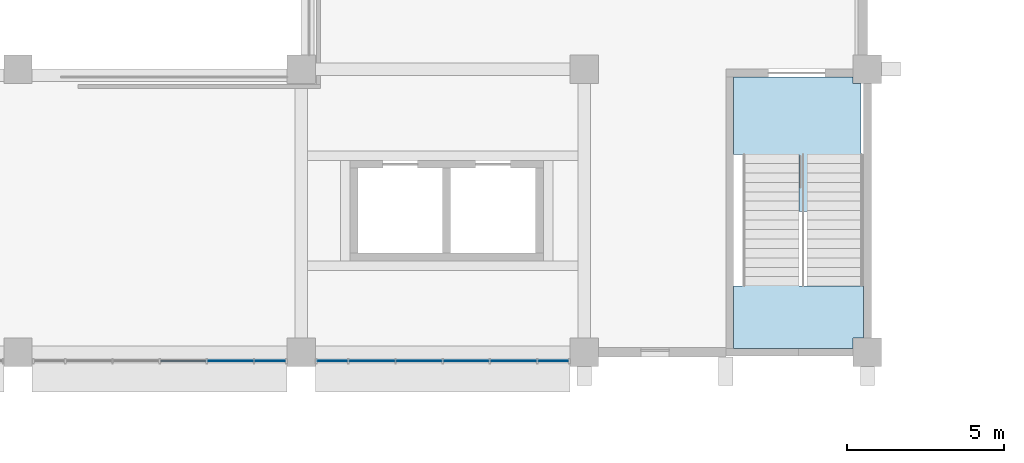
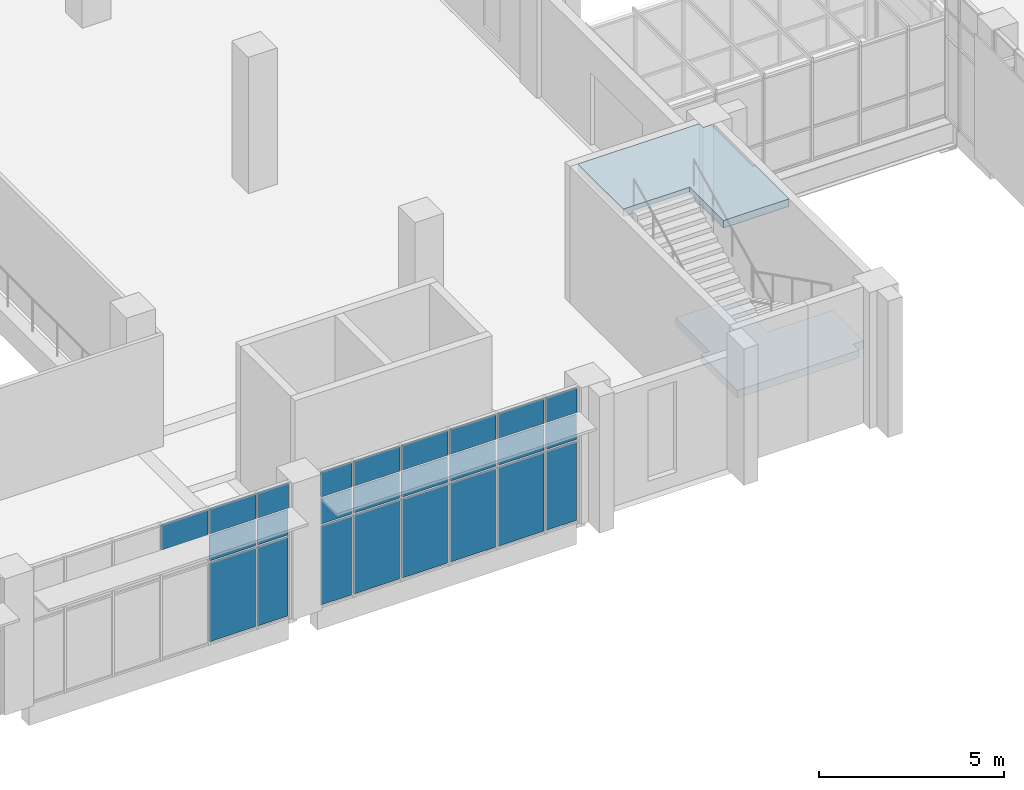
# One storey, part 40 of 88: 25 plates, 2 slabs, 3 elements without a shape of their own.
"""IFC4 building model written with IfcOpenShell, lengths in metres."""

from ifc_helpers import new_model, si_unit, direction, frame, origin, origin_2d, place, context, subcontext, project, spatial, polyline, rectangle, outline, extrude, material, layer, layer_set, type_object, element, aggregate, save


model = new_model("IFC4")

# Units and contexts
model_context = context("Model", 3, precision=1e-05, world=origin(), true_north=direction((0.0, 1.0)))
body_context = subcontext(model_context, "Body", "Model", "MODEL_VIEW")
ifc_project = project(units=[si_unit("LENGTHUNIT", "METRE"), si_unit("AREAUNIT", "SQUARE_METRE"), si_unit("VOLUMEUNIT", "CUBIC_METRE"), si_unit("PLANEANGLEUNIT", "RADIAN"), si_unit("MASSUNIT", "GRAM", prefix="KILO")], contexts=[model_context])

# Site, building, storey
site_placement = place(None, origin())
site = spatial("IfcSite", under=ifc_project, at=site_placement, CompositionType="ELEMENT")
building_placement = place(site_placement, origin())
building = spatial("IfcBuilding", under=site, at=building_placement, Name="Guidao Yard Department Store", CompositionType="ELEMENT")
storey_placement = place(building_placement, frame((0.0, 0.0, 6.0)))
storey = spatial("IfcBuildingStorey", under=building, at=storey_placement, Name="L01", CompositionType="ELEMENT", Elevation=6.0)

# Curtain wall, plates
ifc_material_1 = material(Name="Aluminium and glass", Category="aluminium")
ifc_layer_1 = layer(ifc_material_1, 0.159912109375)
ifc_layer_set_1 = layer_set([ifc_layer_1], Name="Hall front curtain wall CW2 1500 module")
curtain_wall_type = type_object("IfcCurtainWallType", Name="Hall front curtain wall CW2 1500 module", PredefinedType="NOTDEFINED", material=ifc_layer_set_1)
curtain_wall_1_placement = place(storey_placement, origin())
curtain_wall_1 = element("IfcCurtainWall", 1, at=curtain_wall_1_placement, inside=storey, type_object=curtain_wall_type, Name="Hall front curtain wall", PredefinedType="NOTDEFINED")
ifc_material_2 = material(Name="Aluminium 6063-T5 faced insulated spandrel", Category="aluminium")
ifc_layer_2 = layer(ifc_material_2, 0.06005859375)
ifc_layer_set_2 = layer_set([ifc_layer_2], Name="Spandrel panel SP1 insulated opaque")
plate_type_1 = type_object("IfcPlateType", Name="Spandrel panel SP1 insulated opaque", PredefinedType="CURTAIN_PANEL", material=ifc_layer_set_2)
plate_1_placement = place(storey_placement, frame((41.25, 44.719970703125, 3.6298828125), z_axis=(0.0, 0.0, 1.0), x_axis=(-1.0, 0.0, 0.0)))
plate_1 = element("IfcPlate", 2, at=plate_1_placement, type_object=plate_type_1, Name="CW-HF-L01-04 panel 4.3", PredefinedType="CURTAIN_PANEL", context=body_context, shape_type="SweptSolid", body=[
    extrude(rectangle(XDim=1.43994140625, YDim=0.06005859375, at=origin_2d()), origin(), (0.0, 0.0, 1.0), 0.81005859375),
])
plate_2_placement = place(storey_placement, frame((42.75, 44.719970703125, 3.6298828125), z_axis=(0.0, 0.0, 1.0), x_axis=(-1.0, 0.0, 0.0)))
plate_2 = element("IfcPlate", 3, at=plate_2_placement, type_object=plate_type_1, Name="CW-HF-L01-04 panel 5.3", PredefinedType="CURTAIN_PANEL", context=body_context, shape_type="SweptSolid", body=[
    extrude(rectangle(XDim=1.43994140625, YDim=0.06005859375, at=origin_2d()), origin(), (0.0, 0.0, 1.0), 0.81005859375),
])
plate_3_placement = place(storey_placement, frame((44.010009765625, 44.719970703125, 3.6298828125), z_axis=(0.0, 0.0, 1.0), x_axis=(-1.0, 0.0, 0.0)))
plate_3 = element("IfcPlate", 4, at=plate_3_placement, type_object=plate_type_1, Name="CW-HF-L01-04 panel 6.3", PredefinedType="CURTAIN_PANEL", context=body_context, shape_type="SweptSolid", body=[
    extrude(rectangle(XDim=0.9599609375, YDim=0.06005859375, at=origin_2d()), origin(), (0.0, 0.0, 1.0), 0.81005859375),
])

curtain_wall_2_placement = place(storey_placement, origin())
curtain_wall_2 = element("IfcCurtainWall", 5, at=curtain_wall_2_placement, inside=storey, type_object=curtain_wall_type, Name="Hall front curtain wall", PredefinedType="NOTDEFINED")
plate_4_placement = place(storey_placement, frame((45.989990234375, 44.719970703125, 3.6298828125), z_axis=(0.0, 0.0, 1.0), x_axis=(-1.0, 0.0, 0.0)))
plate_4 = element("IfcPlate", 6, at=plate_4_placement, type_object=plate_type_1, Name="CW-HF-L01-05 panel 1.3", PredefinedType="CURTAIN_PANEL", context=body_context, shape_type="SweptSolid", body=[
    extrude(rectangle(XDim=0.9599609375, YDim=0.06005859375, at=origin_2d()), origin(), (0.0, 0.0, 1.0), 0.81005859375),
])
plate_5_placement = place(storey_placement, frame((47.25, 44.719970703125, 3.6298828125), z_axis=(0.0, 0.0, 1.0), x_axis=(-1.0, 0.0, 0.0)))
plate_5 = element("IfcPlate", 7, at=plate_5_placement, type_object=plate_type_1, Name="CW-HF-L01-05 panel 2.3", PredefinedType="CURTAIN_PANEL", context=body_context, shape_type="SweptSolid", body=[
    extrude(rectangle(XDim=1.43994140625, YDim=0.06005859375, at=origin_2d()), origin(), (0.0, 0.0, 1.0), 0.81005859375),
])
plate_6_placement = place(storey_placement, frame((48.75, 44.719970703125, 3.6298828125), z_axis=(0.0, 0.0, 1.0), x_axis=(-1.0, 0.0, 0.0)))
plate_6 = element("IfcPlate", 8, at=plate_6_placement, type_object=plate_type_1, Name="CW-HF-L01-05 panel 3.3", PredefinedType="CURTAIN_PANEL", context=body_context, shape_type="SweptSolid", body=[
    extrude(rectangle(XDim=1.43994140625, YDim=0.06005859375, at=origin_2d()), origin(), (0.0, 0.0, 1.0), 0.81005859375),
])
plate_7_placement = place(storey_placement, frame((50.25, 44.719970703125, 3.6298828125), z_axis=(0.0, 0.0, 1.0), x_axis=(-1.0, 0.0, 0.0)))
plate_7 = element("IfcPlate", 9, at=plate_7_placement, type_object=plate_type_1, Name="CW-HF-L01-05 panel 4.3", PredefinedType="CURTAIN_PANEL", context=body_context, shape_type="SweptSolid", body=[
    extrude(rectangle(XDim=1.43994140625, YDim=0.06005859375, at=origin_2d()), origin(), (0.0, 0.0, 1.0), 0.81005859375),
])
plate_8_placement = place(storey_placement, frame((51.75, 44.719970703125, 3.6298828125), z_axis=(0.0, 0.0, 1.0), x_axis=(-1.0, 0.0, 0.0)))
plate_8 = element("IfcPlate", 10, at=plate_8_placement, type_object=plate_type_1, Name="CW-HF-L01-05 panel 5.3", PredefinedType="CURTAIN_PANEL", context=body_context, shape_type="SweptSolid", body=[
    extrude(rectangle(XDim=1.43994140625, YDim=0.06005859375, at=origin_2d()), origin(), (0.0, 0.0, 1.0), 0.81005859375),
])
plate_9_placement = place(storey_placement, frame((53.010009765625, 44.719970703125, 3.6298828125), z_axis=(0.0, 0.0, 1.0), x_axis=(-1.0, 0.0, 0.0)))
plate_9 = element("IfcPlate", 11, at=plate_9_placement, type_object=plate_type_1, Name="CW-HF-L01-05 panel 6.3", PredefinedType="CURTAIN_PANEL", context=body_context, shape_type="SweptSolid", body=[
    extrude(rectangle(XDim=0.9599609375, YDim=0.06005859375, at=origin_2d()), origin(), (0.0, 0.0, 1.0), 0.81005859375),
])

# Stair, slabs
ifc_material_3 = material(Name="Concrete C35", Category="concrete")
stair_type = type_object("IfcStairType", Name="Stair half-turn two-flight 1800 wide 4.5 m rise", PredefinedType="HALF_TURN_STAIR", material=ifc_material_3)
stair_placement = place(storey_placement, origin())
stair = element("IfcStair", 12, at=stair_placement, inside=storey, type_object=stair_type, Name="Stair A2 L01 to L02", PredefinedType="HALF_TURN_STAIR")
ifc_material_4 = material(Name="Concrete C35", Category="concrete")
ifc_layer_3 = layer(ifc_material_4, 0.25)
ifc_layer_set_3 = layer_set([ifc_layer_3], Name="Stair landing RC 250 C35")
slab_type = type_object("IfcSlabType", Name="Stair landing RC 250 C35", PredefinedType="LANDING", material=ifc_layer_set_3)
slab_1_placement = place(storey_placement, frame((0.0, 0.0, 2.0)))
slab_1 = element("IfcSlab", 13, at=slab_1_placement, type_object=slab_type, Name="SA2-L01 landing 1", PredefinedType="LANDING", context=body_context, shape_type="SweptSolid", body=[
    extrude(outline(polyline([(58.75, 47.10009765625), (59.02490234375, 47.10009765625), (59.02490234375, 48.929931640625), (60.824951171875, 48.929931640625), (60.824951171875, 47.110107421875), (62.875, 47.110107421875), (62.875, 47.10009765625), (62.875, 45.449951171875), (62.550048828125, 45.449951171875), (62.550048828125, 45.125), (58.75, 45.125), (58.75, 47.10009765625)])), origin(), (0.0, 0.0, 1.0), 0.25),
])
slab_2_placement = place(storey_placement, frame((0.0, 0.0, 4.25)))
slab_2 = element("IfcSlab", 14, at=slab_2_placement, type_object=slab_type, Name="SA2-L01 landing 2", PredefinedType="LANDING", context=body_context, shape_type="SweptSolid", body=[
    extrude(outline(polyline([(60.824951171875, 49.469970703125), (60.824951171875, 51.2900390625), (58.75, 51.2900390625), (58.75, 53.75), (60.824951171875, 53.75), (62.550048828125, 53.75), (62.550048828125, 53.550048828125), (62.800048828125, 53.550048828125), (62.800048828125, 51.300048828125), (62.875, 51.300048828125), (62.875, 49.469970703125), (60.824951171875, 49.469970703125)])), origin(), (0.0, 0.0, 1.0), 0.25),
])
aggregate(stair, [slab_1, slab_2])

# Plate
ifc_material_5 = material(Name="Laminated heat-soaked tempered glass", Category="glass")
ifc_layer_4 = layer(ifc_material_5, 0.017578125)
ifc_layer_set_4 = layer_set([ifc_layer_4], Name="Vision glass VG1 laminated heat-soaked tempered 8+8")
plate_type_2 = type_object("IfcPlateType", Name="Vision glass VG1 laminated heat-soaked tempered 8+8", PredefinedType="CURTAIN_PANEL", material=ifc_layer_set_4)
plate_10_placement = place(storey_placement, frame((42.75, 44.719970703125, 0.06005859375), z_axis=(0.0, 0.0, 1.0), x_axis=(-1.0, 0.0, 0.0)))
plate_10 = element("IfcPlate", 15, at=plate_10_placement, type_object=plate_type_2, Name="CW-HF-L01-04 panel 5.1", PredefinedType="CURTAIN_PANEL", context=body_context, shape_type="SweptSolid", body=[
    extrude(rectangle(XDim=1.43994140625, YDim=0.017578125, at=origin_2d()), origin(), (0.0, 0.0, 1.0), 2.610107421875),
])

plate_11_placement = place(storey_placement, frame((42.75, 44.719970703125, 2.72998046875), z_axis=(0.0, 0.0, 1.0), x_axis=(-1.0, 0.0, 0.0)))
plate_11 = element("IfcPlate", 16, at=plate_11_placement, type_object=plate_type_2, Name="CW-HF-L01-04 panel 5.2", PredefinedType="CURTAIN_PANEL", context=body_context, shape_type="SweptSolid", body=[
    extrude(rectangle(XDim=1.43994140625, YDim=0.017578125, at=origin_2d()), origin(), (0.0, 0.0, 1.0), 0.840087890625),
])

plate_12_placement = place(storey_placement, frame((44.010009765625, 44.719970703125, 0.06005859375), z_axis=(0.0, 0.0, 1.0), x_axis=(-1.0, 0.0, 0.0)))
plate_12 = element("IfcPlate", 17, at=plate_12_placement, type_object=plate_type_2, Name="CW-HF-L01-04 panel 6.1", PredefinedType="CURTAIN_PANEL", context=body_context, shape_type="SweptSolid", body=[
    extrude(rectangle(XDim=0.9599609375, YDim=0.017578125, at=origin_2d()), origin(), (0.0, 0.0, 1.0), 2.610107421875),
])

plate_13_placement = place(storey_placement, frame((44.010009765625, 44.719970703125, 2.72998046875), z_axis=(0.0, 0.0, 1.0), x_axis=(-1.0, 0.0, 0.0)))
plate_13 = element("IfcPlate", 18, at=plate_13_placement, type_object=plate_type_2, Name="CW-HF-L01-04 panel 6.2", PredefinedType="CURTAIN_PANEL", context=body_context, shape_type="SweptSolid", body=[
    extrude(rectangle(XDim=0.9599609375, YDim=0.017578125, at=origin_2d()), origin(), (0.0, 0.0, 1.0), 0.840087890625),
])

aggregate(curtain_wall_1, [plate_1, plate_10, plate_11, plate_2, plate_12, plate_13, plate_3])

plate_14_placement = place(storey_placement, frame((45.989990234375, 44.719970703125, 0.06005859375), z_axis=(0.0, 0.0, 1.0), x_axis=(-1.0, 0.0, 0.0)))
plate_14 = element("IfcPlate", 19, at=plate_14_placement, type_object=plate_type_2, Name="CW-HF-L01-05 panel 1.1", PredefinedType="CURTAIN_PANEL", context=body_context, shape_type="SweptSolid", body=[
    extrude(rectangle(XDim=0.9599609375, YDim=0.017578125, at=origin_2d()), origin(), (0.0, 0.0, 1.0), 2.610107421875),
])

plate_15_placement = place(storey_placement, frame((45.989990234375, 44.719970703125, 2.72998046875), z_axis=(0.0, 0.0, 1.0), x_axis=(-1.0, 0.0, 0.0)))
plate_15 = element("IfcPlate", 20, at=plate_15_placement, type_object=plate_type_2, Name="CW-HF-L01-05 panel 1.2", PredefinedType="CURTAIN_PANEL", context=body_context, shape_type="SweptSolid", body=[
    extrude(rectangle(XDim=0.9599609375, YDim=0.017578125, at=origin_2d()), origin(), (0.0, 0.0, 1.0), 0.840087890625),
])

plate_16_placement = place(storey_placement, frame((47.25, 44.719970703125, 0.06005859375), z_axis=(0.0, 0.0, 1.0), x_axis=(-1.0, 0.0, 0.0)))
plate_16 = element("IfcPlate", 21, at=plate_16_placement, type_object=plate_type_2, Name="CW-HF-L01-05 panel 2.1", PredefinedType="CURTAIN_PANEL", context=body_context, shape_type="SweptSolid", body=[
    extrude(rectangle(XDim=1.43994140625, YDim=0.017578125, at=origin_2d()), origin(), (0.0, 0.0, 1.0), 2.610107421875),
])

plate_17_placement = place(storey_placement, frame((47.25, 44.719970703125, 2.72998046875), z_axis=(0.0, 0.0, 1.0), x_axis=(-1.0, 0.0, 0.0)))
plate_17 = element("IfcPlate", 22, at=plate_17_placement, type_object=plate_type_2, Name="CW-HF-L01-05 panel 2.2", PredefinedType="CURTAIN_PANEL", context=body_context, shape_type="SweptSolid", body=[
    extrude(rectangle(XDim=1.43994140625, YDim=0.017578125, at=origin_2d()), origin(), (0.0, 0.0, 1.0), 0.840087890625),
])

plate_18_placement = place(storey_placement, frame((48.75, 44.719970703125, 0.06005859375), z_axis=(0.0, 0.0, 1.0), x_axis=(-1.0, 0.0, 0.0)))
plate_18 = element("IfcPlate", 23, at=plate_18_placement, type_object=plate_type_2, Name="CW-HF-L01-05 panel 3.1", PredefinedType="CURTAIN_PANEL", context=body_context, shape_type="SweptSolid", body=[
    extrude(rectangle(XDim=1.43994140625, YDim=0.017578125, at=origin_2d()), origin(), (0.0, 0.0, 1.0), 2.610107421875),
])

plate_19_placement = place(storey_placement, frame((48.75, 44.719970703125, 2.72998046875), z_axis=(0.0, 0.0, 1.0), x_axis=(-1.0, 0.0, 0.0)))
plate_19 = element("IfcPlate", 24, at=plate_19_placement, type_object=plate_type_2, Name="CW-HF-L01-05 panel 3.2", PredefinedType="CURTAIN_PANEL", context=body_context, shape_type="SweptSolid", body=[
    extrude(rectangle(XDim=1.43994140625, YDim=0.017578125, at=origin_2d()), origin(), (0.0, 0.0, 1.0), 0.840087890625),
])

plate_20_placement = place(storey_placement, frame((50.25, 44.719970703125, 0.06005859375), z_axis=(0.0, 0.0, 1.0), x_axis=(-1.0, 0.0, 0.0)))
plate_20 = element("IfcPlate", 25, at=plate_20_placement, type_object=plate_type_2, Name="CW-HF-L01-05 panel 4.1", PredefinedType="CURTAIN_PANEL", context=body_context, shape_type="SweptSolid", body=[
    extrude(rectangle(XDim=1.43994140625, YDim=0.017578125, at=origin_2d()), origin(), (0.0, 0.0, 1.0), 2.610107421875),
])

plate_21_placement = place(storey_placement, frame((50.25, 44.719970703125, 2.72998046875), z_axis=(0.0, 0.0, 1.0), x_axis=(-1.0, 0.0, 0.0)))
plate_21 = element("IfcPlate", 26, at=plate_21_placement, type_object=plate_type_2, Name="CW-HF-L01-05 panel 4.2", PredefinedType="CURTAIN_PANEL", context=body_context, shape_type="SweptSolid", body=[
    extrude(rectangle(XDim=1.43994140625, YDim=0.017578125, at=origin_2d()), origin(), (0.0, 0.0, 1.0), 0.840087890625),
])

plate_22_placement = place(storey_placement, frame((51.75, 44.719970703125, 0.06005859375), z_axis=(0.0, 0.0, 1.0), x_axis=(-1.0, 0.0, 0.0)))
plate_22 = element("IfcPlate", 27, at=plate_22_placement, type_object=plate_type_2, Name="CW-HF-L01-05 panel 5.1", PredefinedType="CURTAIN_PANEL", context=body_context, shape_type="SweptSolid", body=[
    extrude(rectangle(XDim=1.43994140625, YDim=0.017578125, at=origin_2d()), origin(), (0.0, 0.0, 1.0), 2.610107421875),
])

plate_23_placement = place(storey_placement, frame((51.75, 44.719970703125, 2.72998046875), z_axis=(0.0, 0.0, 1.0), x_axis=(-1.0, 0.0, 0.0)))
plate_23 = element("IfcPlate", 28, at=plate_23_placement, type_object=plate_type_2, Name="CW-HF-L01-05 panel 5.2", PredefinedType="CURTAIN_PANEL", context=body_context, shape_type="SweptSolid", body=[
    extrude(rectangle(XDim=1.43994140625, YDim=0.017578125, at=origin_2d()), origin(), (0.0, 0.0, 1.0), 0.840087890625),
])

plate_24_placement = place(storey_placement, frame((53.010009765625, 44.719970703125, 0.06005859375), z_axis=(0.0, 0.0, 1.0), x_axis=(-1.0, 0.0, 0.0)))
plate_24 = element("IfcPlate", 29, at=plate_24_placement, type_object=plate_type_2, Name="CW-HF-L01-05 panel 6.1", PredefinedType="CURTAIN_PANEL", context=body_context, shape_type="SweptSolid", body=[
    extrude(rectangle(XDim=0.9599609375, YDim=0.017578125, at=origin_2d()), origin(), (0.0, 0.0, 1.0), 2.610107421875),
])

plate_25_placement = place(storey_placement, frame((53.010009765625, 44.719970703125, 2.72998046875), z_axis=(0.0, 0.0, 1.0), x_axis=(-1.0, 0.0, 0.0)))
plate_25 = element("IfcPlate", 30, at=plate_25_placement, type_object=plate_type_2, Name="CW-HF-L01-05 panel 6.2", PredefinedType="CURTAIN_PANEL", context=body_context, shape_type="SweptSolid", body=[
    extrude(rectangle(XDim=0.9599609375, YDim=0.017578125, at=origin_2d()), origin(), (0.0, 0.0, 1.0), 0.840087890625),
])

aggregate(curtain_wall_2, [plate_14, plate_15, plate_4, plate_16, plate_17, plate_5, plate_18, plate_19, plate_6, plate_20, plate_21, plate_7, plate_22, plate_23, plate_8, plate_24, plate_25, plate_9])

save(model, "model.ifc")
